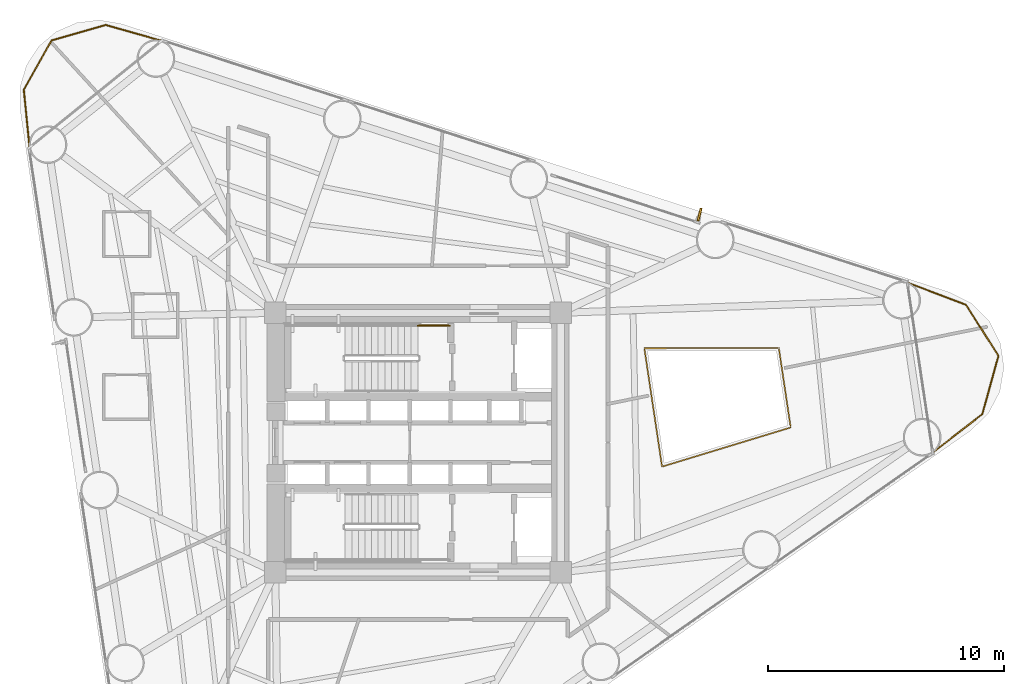
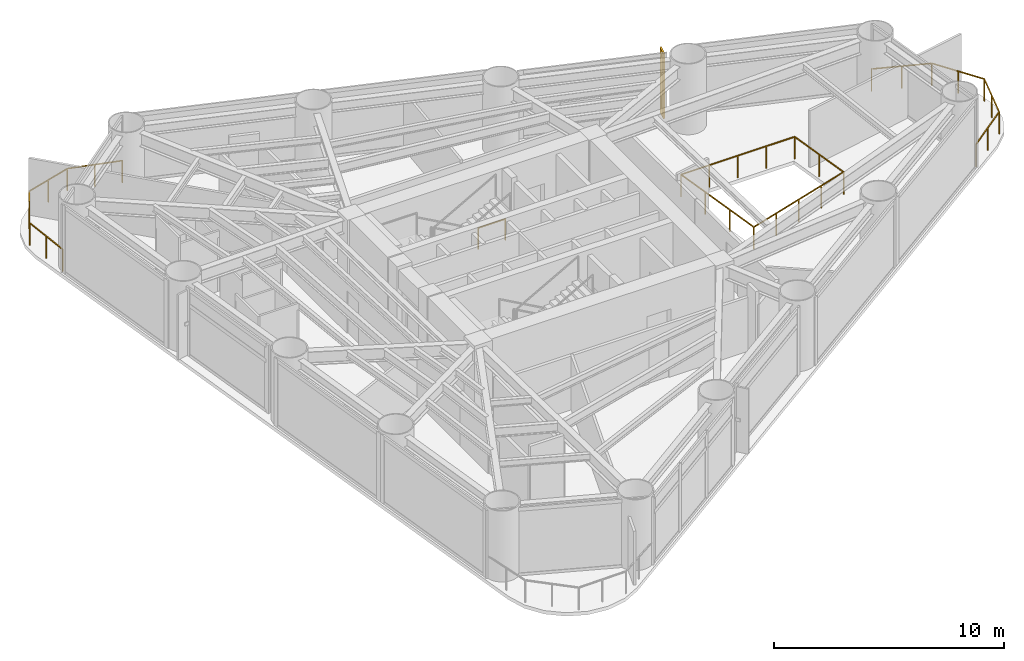
# One storey, part 9 of 9: 4 railings, 1 shading device.
"""IFC4 building model written with IfcOpenShell, lengths in metres."""

from ifc_helpers import new_model, si_unit, direction, frame, origin, origin_2d, place, context, subcontext, project, spatial, rectangle, extrude, source, transform, mapped, material, material_profile, profile_set, type_object, element, save


model = new_model("IFC4")

# Units and contexts
model_context = context("Model", 3, precision=1e-05, world=origin(), true_north=direction((0.0, 1.0)))
body_context = subcontext(model_context, "Body", "Model", "MODEL_VIEW")
ifc_project = project(units=[si_unit("LENGTHUNIT", "METRE"), si_unit("AREAUNIT", "SQUARE_METRE"), si_unit("VOLUMEUNIT", "CUBIC_METRE"), si_unit("PLANEANGLEUNIT", "RADIAN"), si_unit("MASSUNIT", "GRAM", prefix="KILO")], contexts=[model_context])

# Site, building, storey
site_placement = place(None, origin())
site = spatial("IfcSite", under=ifc_project, at=site_placement, CompositionType="ELEMENT")
building_placement = place(site_placement, origin())
building = spatial("IfcBuilding", under=site, at=building_placement, Name="Yunling Apex Tower", CompositionType="ELEMENT")
storey_placement = place(building_placement, frame((0.0, 0.0, 58.550048828125)))
storey = spatial("IfcBuildingStorey", under=building, at=storey_placement, Name="L15", CompositionType="ELEMENT", Elevation=58.550048828125)

# Railings
ifc_material_1 = material(Name="Bronze anodised aluminium", Category="aluminium")
railing_type_1 = type_object("IfcRailingType", Name="RL-BAL-1200", PredefinedType="BALUSTRADE", material=ifc_material_1)
railing_1_placement = place(storey_placement, frame((20.747314453125, 6.783935546875, 0.0)))
element("IfcRailing", 1, at=railing_1_placement, inside=storey, type_object=railing_type_1, Name="RL-CRNSILL-L15-1", PredefinedType="BALUSTRADE", context=body_context, shape_type="SweptSolid", body=[
    extrude(rectangle(XDim=0.0439453125, YDim=0.0439453125, at=origin_2d()), origin(), (0.0, 0.0, 1.0), 1.199951171875),
    extrude(rectangle(XDim=0.0439453125, YDim=0.0439453125, at=origin_2d()), frame((2.481689453125, -0.941650390625, 0.0)), (0.0, 0.0, 1.0), 1.199951171875),
    extrude(rectangle(XDim=0.050048828125, YDim=0.050048828125, at=origin_2d()), frame((0.035888671875, -0.013671875, 1.1748046875), z_axis=(0.934957554838, -0.354759595574, 0.0), x_axis=(0.354759595574, 0.934957554838, 0.0)), (0.0, 0.0, 1.0), 2.57763671875),
    extrude(rectangle(XDim=0.0439453125, YDim=0.0439453125, at=origin_2d()), frame((1.24072265625, -0.470703125, 0.0)), (0.0, 0.0, 1.0), 1.14599609375),
    extrude(rectangle(XDim=0.0439453125, YDim=0.0439453125, at=origin_2d()), frame((3.859375, -3.1064453125, 0.0)), (0.0, 0.0, 1.0), 1.199951171875),
    extrude(rectangle(XDim=0.050048828125, YDim=0.050048828125, at=origin_2d()), frame((2.502197265625, -0.973876953125, 1.1748046875), z_axis=(0.536900117586, -0.843645816523, 0.0), x_axis=(0.843645816523, 0.536900117586, 0.0)), (0.0, 0.0, 1.0), 2.4892578125),
    extrude(rectangle(XDim=0.0439453125, YDim=0.0439453125, at=origin_2d()), frame((3.17041015625, -2.02392578125, 0.0)), (0.0, 0.0, 1.0), 1.14599609375),
    extrude(rectangle(XDim=0.0439453125, YDim=0.0439453125, at=origin_2d()), frame((3.174560546875, -5.579345703125, 0.0)), (0.0, 0.0, 1.0), 1.199951171875),
    extrude(rectangle(XDim=0.050048828125, YDim=0.050048828125, at=origin_2d()), frame((3.84912109375, -3.143310546875, 1.1748046875), z_axis=(-0.26688316154, -0.963728892421, 0.0), x_axis=(0.963728892421, -0.26688316154, 0.0)), (0.0, 0.0, 1.0), 2.4892578125),
    extrude(rectangle(XDim=0.0439453125, YDim=0.0439453125, at=origin_2d()), frame((3.51708984375, -4.3427734375, 0.0)), (0.0, 0.0, 1.0), 1.14599609375),
    extrude(rectangle(XDim=0.0439453125, YDim=0.0439453125, at=origin_2d()), frame((1.07666015625, -7.20556640625, 0.0)), (0.0, 0.0, 1.0), 1.199951171875),
    extrude(rectangle(XDim=0.050048828125, YDim=0.050048828125, at=origin_2d()), frame((3.144287109375, -5.602783203125, 1.1748046875), z_axis=(-0.79035158758, -0.612653546476, 0.0), x_axis=(0.612653546476, -0.79035158758, 0.0)), (0.0, 0.0, 1.0), 2.57763671875),
    extrude(rectangle(XDim=0.0439453125, YDim=0.0439453125, at=origin_2d()), frame((2.12548828125, -6.392578125, 0.0)), (0.0, 0.0, 1.0), 1.14599609375),
])
railing_2_placement = place(storey_placement, frame((-16.470458984375, 12.5126953125, 0.0)))
element("IfcRailing", 2, at=railing_2_placement, inside=storey, type_object=railing_type_1, Name="RL-CRNSILL-L15-2", PredefinedType="BALUSTRADE", context=body_context, shape_type="SweptSolid", body=[
    extrude(rectangle(XDim=0.0439453125, YDim=0.0439453125, at=origin_2d()), origin(), (0.0, 0.0, 1.0), 1.199951171875),
    extrude(rectangle(XDim=0.0439453125, YDim=0.0439453125, at=origin_2d()), frame((-0.244140625, 2.449462890625, 0.0)), (0.0, 0.0, 1.0), 1.199951171875),
    extrude(rectangle(XDim=0.050048828125, YDim=0.050048828125, at=origin_2d()), frame((-0.00390625, 0.0380859375, 1.1748046875), z_axis=(-0.099179661385, 0.995069542679, 0.0), x_axis=(-0.995069542679, -0.099179661385, 0.0)), (0.0, 0.0, 1.0), 2.385009765625),
    extrude(rectangle(XDim=0.0439453125, YDim=0.0439453125, at=origin_2d()), frame((-0.1220703125, 1.224609375, 0.0)), (0.0, 0.0, 1.0), 1.14599609375),
    extrude(rectangle(XDim=0.0439453125, YDim=0.0439453125, at=origin_2d()), frame((0.935302734375, 4.534912109375, 0.0)), (0.0, 0.0, 1.0), 1.199951171875),
    extrude(rectangle(XDim=0.050048828125, YDim=0.050048828125, at=origin_2d()), frame((-0.225341796875, 2.48291015625, 1.1748046875), z_axis=(0.492282210089, 0.87043565278, 0.0), x_axis=(-0.87043565278, 0.492282210089, 0.0)), (0.0, 0.0, 1.0), 2.319091796875),
    extrude(rectangle(XDim=0.0439453125, YDim=0.0439453125, at=origin_2d()), frame((0.345703125, 3.4921875, 0.0)), (0.0, 0.0, 1.0), 1.14599609375),
    extrude(rectangle(XDim=0.0439453125, YDim=0.0439453125, at=origin_2d()), frame((3.231201171875, 5.19189453125, 0.0)), (0.0, 0.0, 1.0), 1.199951171875),
    extrude(rectangle(XDim=0.050048828125, YDim=0.050048828125, at=origin_2d()), frame((0.97216796875, 4.54541015625, 1.1748046875), z_axis=(0.961411988788, 0.275112682032, 0.0), x_axis=(-0.275112682032, 0.961411988788, 0.0)), (0.0, 0.0, 1.0), 2.311279296875),
    extrude(rectangle(XDim=0.0439453125, YDim=0.0439453125, at=origin_2d()), frame((2.083251953125, 4.86328125, 0.0)), (0.0, 0.0, 1.0), 1.14599609375),
    extrude(rectangle(XDim=0.0439453125, YDim=0.0439453125, at=origin_2d()), frame((5.60009765625, 4.52001953125, 0.0)), (0.0, 0.0, 1.0), 1.199951171875),
    extrude(rectangle(XDim=0.050048828125, YDim=0.050048828125, at=origin_2d()), frame((3.26806640625, 5.181396484375, 1.1748046875), z_axis=(0.962053444414, -0.272861082039, 0.0), x_axis=(0.272861082039, 0.962053444414, 0.0)), (0.0, 0.0, 1.0), 2.3857421875),
    extrude(rectangle(XDim=0.0439453125, YDim=0.0439453125, at=origin_2d()), frame((4.41552734375, 4.85595703125, 0.0)), (0.0, 0.0, 1.0), 1.14599609375),
])
railing_3_placement = place(storey_placement, frame((9.593994140625, 4.001220703125, 0.0)))
element("IfcRailing", 3, at=railing_3_placement, inside=storey, type_object=railing_type_1, Name="RL-TATR-L15", PredefinedType="BALUSTRADE", context=body_context, shape_type="SweptSolid", body=[
    extrude(rectangle(XDim=0.0439453125, YDim=0.0439453125, at=origin_2d()), origin(), (0.0, 0.0, 1.0), 1.199951171875),
    extrude(rectangle(XDim=0.0439453125, YDim=0.0439453125, at=origin_2d()), frame((5.70166015625, 0.007080078125, 0.0)), (0.0, 0.0, 1.0), 1.199951171875),
    extrude(rectangle(XDim=0.050048828125, YDim=0.050048828125, at=origin_2d()), frame((0.038330078125, 0.0, 1.1748046875), z_axis=(0.99999922902, 0.001241756343, 0.0), x_axis=(-0.001241756343, 0.99999922902, 0.0)), (0.0, 0.0, 1.0), 5.625),
    extrude(rectangle(XDim=0.0439453125, YDim=0.0439453125, at=origin_2d()), frame((1.42529296875, 0.001708984375, 0.0)), (0.0, 0.0, 1.0), 1.14599609375),
    extrude(rectangle(XDim=0.0439453125, YDim=0.0439453125, at=origin_2d()), frame((2.850830078125, 0.00341796875, 0.0)), (0.0, 0.0, 1.0), 1.14599609375),
    extrude(rectangle(XDim=0.0439453125, YDim=0.0439453125, at=origin_2d()), frame((4.2763671875, 0.00537109375, 0.0)), (0.0, 0.0, 1.0), 1.14599609375),
    extrude(rectangle(XDim=0.0439453125, YDim=0.0439453125, at=origin_2d()), frame((6.205078125, -3.362548828125, 0.0)), (0.0, 0.0, 1.0), 1.199951171875),
    extrude(rectangle(XDim=0.050048828125, YDim=0.050048828125, at=origin_2d()), frame((5.707275390625, -0.03076171875, 1.1748046875), z_axis=(0.147758753696, -0.98902343284, 0.0), x_axis=(0.98902343284, 0.147758753696, 0.0)), (0.0, 0.0, 1.0), 3.330322265625),
    extrude(rectangle(XDim=0.0439453125, YDim=0.0439453125, at=origin_2d()), frame((5.953369140625, -1.677734375, 0.0)), (0.0, 0.0, 1.0), 1.14599609375),
    extrude(rectangle(XDim=0.0439453125, YDim=0.0439453125, at=origin_2d()), frame((0.75048828125, -5.0224609375, 0.0)), (0.0, 0.0, 1.0), 1.199951171875),
    extrude(rectangle(XDim=0.050048828125, YDim=0.050048828125, at=origin_2d()), frame((6.16845703125, -3.373779296875, 1.1748046875), z_axis=(-0.956682695857, -0.291132649231, 0.0), x_axis=(0.291132649231, -0.956682695857, 0.0)), (0.0, 0.0, 1.0), 5.625),
    extrude(rectangle(XDim=0.0439453125, YDim=0.0439453125, at=origin_2d()), frame((4.84130859375, -3.777587890625, 0.0)), (0.0, 0.0, 1.0), 1.14599609375),
    extrude(rectangle(XDim=0.0439453125, YDim=0.0439453125, at=origin_2d()), frame((3.477783203125, -4.1923828125, 0.0)), (0.0, 0.0, 1.0), 1.14599609375),
    extrude(rectangle(XDim=0.0439453125, YDim=0.0439453125, at=origin_2d()), frame((2.1142578125, -4.607421875, 0.0)), (0.0, 0.0, 1.0), 1.14599609375),
    extrude(rectangle(XDim=0.050048828125, YDim=0.050048828125, at=origin_2d()), frame((0.744873046875, -4.984619140625, 1.1748046875), z_axis=(-0.147785616119, 0.989019419257, 0.0), x_axis=(-0.989019419257, -0.147785616119, 0.0)), (0.0, 0.0, 1.0), 5.00146484375),
    extrude(rectangle(XDim=0.0439453125, YDim=0.0439453125, at=origin_2d()), frame((0.500244140625, -3.348388671875, 0.0)), (0.0, 0.0, 1.0), 1.14599609375),
    extrude(rectangle(XDim=0.0439453125, YDim=0.0439453125, at=origin_2d()), frame((0.250244140625, -1.674072265625, 0.0)), (0.0, 0.0, 1.0), 1.14599609375),
])
ifc_material_2 = material(Name="Steel Q355B", Category="steel")
railing_type_2 = type_object("IfcRailingType", Name="RL-GRD-1150", PredefinedType="GUARDRAIL", material=ifc_material_2)
railing_4_placement = place(storey_placement, frame((1.35009765625, 4.9599609375, 0.0)))
element("IfcRailing", 4, at=railing_4_placement, inside=storey, type_object=railing_type_2, Name="L15 ST-1 stair guard 6", PredefinedType="GUARDRAIL", context=body_context, shape_type="SweptSolid", body=[
    extrude(rectangle(XDim=0.0439453125, YDim=0.0439453125, at=origin_2d()), origin(), (0.0, 0.0, 1.0), 1.14990234375),
    extrude(rectangle(XDim=0.0439453125, YDim=0.0439453125, at=origin_2d()), frame((-1.360107421875, 0.0, 0.0)), (0.0, 0.0, 1.0), 1.14990234375),
    extrude(rectangle(XDim=0.050048828125, YDim=0.050048828125, at=origin_2d()), frame((-0.038330078125, 0.0, 1.125), z_axis=(-1.0, 0.0, 0.0), x_axis=(0.0, -1.0, 0.0)), (0.0, 0.0, 1.0), 1.283447265625),
])

# Shading device
ifc_material_profile = material_profile(ifc_material_1, rectangle(XDim=0.0849609375, YDim=0.550048828125, at=origin_2d()))
ifc_profile_set = profile_set([ifc_material_profile], Name="Bronze anodised aluminium")
shading_device_type = type_object("IfcShadingDeviceType", Name="FN-BRZ-3", PredefinedType="USERDEFINED", material=ifc_profile_set)
shared_shape = source(origin(), body_context, "Body", "SweptSolid", [
    extrude(rectangle(XDim=0.0849609375, YDim=0.550048828125, at=origin_2d()), origin(), (0.0, 0.0, 1.0), 3.445068359375),
])
shading_device_placement = place(storey_placement, frame((11.934814453125, 9.666748046875, 0.06005859375), z_axis=(0.0, 0.0, 1.0), x_axis=(-0.969402520914, 0.245476582274, 0.0)))
element("IfcShadingDevice", 5, at=shading_device_placement, inside=storey, type_object=shading_device_type, Name="CW-L15-F2-B2-FIN-01", ObjectType="FIN", PredefinedType="USERDEFINED", context=body_context, shape_type="MappedRepresentation", body=[
    mapped(shared_shape, transform((0.0, 0.0, 0.0), scale=1.0)),
])

save(model, "model.ifc")
